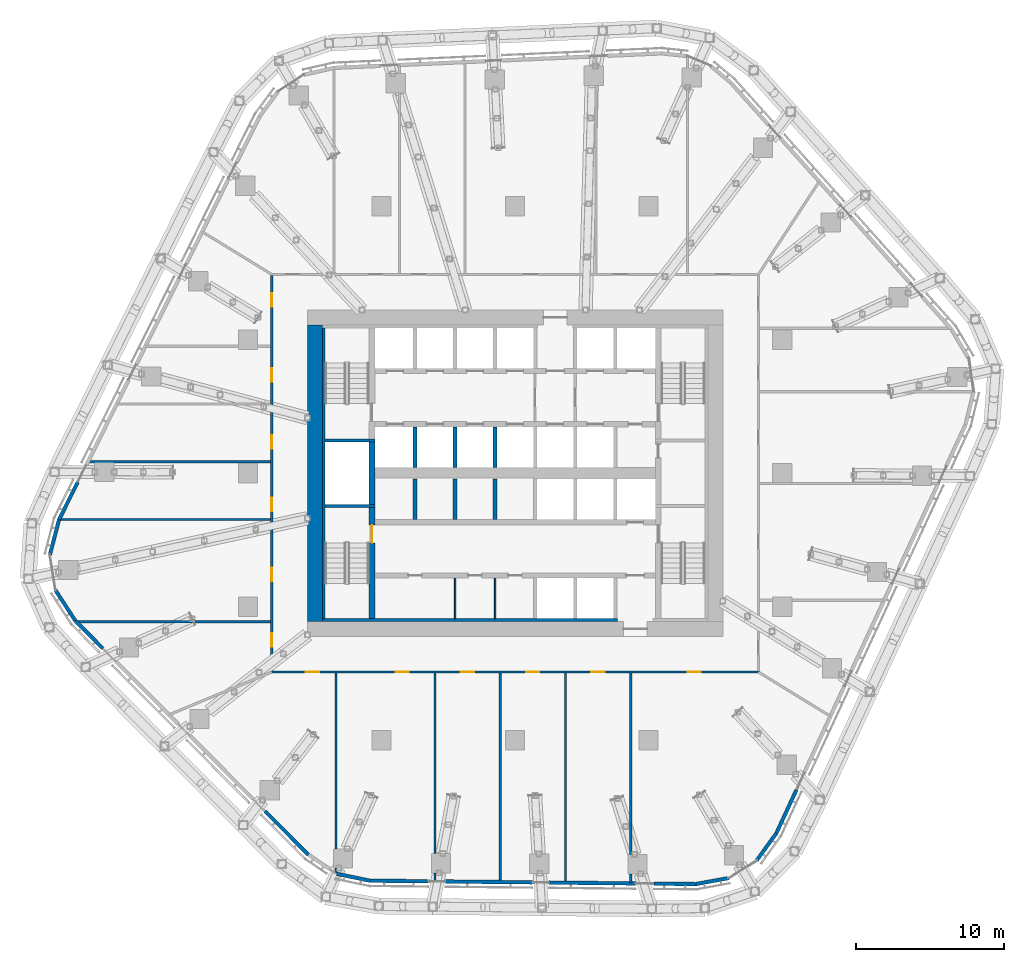
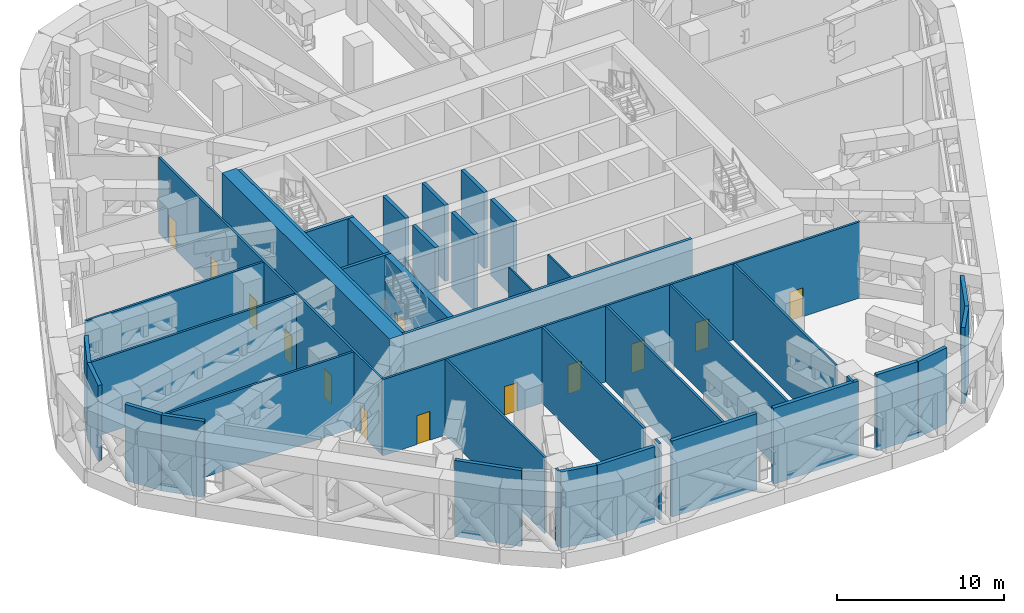
# One storey, part 16 of 30: 41 walls, 13 doors, 13 openings.
"""IFC4 building model written with IfcOpenShell, lengths in metres."""

from ifc_helpers import new_model, si_unit, direction, frame, frame_2d, origin, place, context, subcontext, project, spatial, rectangle, extrude, material, layer, layer_set, type_object, element, fill, save


model = new_model("IFC4")

# Units and contexts
model_context = context("Model", 3, precision=1e-05, world=origin(), true_north=direction((0.0, 1.0)))
body_context = subcontext(model_context, "Body", "Model", "MODEL_VIEW")
ifc_project = project(units=[si_unit("LENGTHUNIT", "METRE"), si_unit("AREAUNIT", "SQUARE_METRE"), si_unit("VOLUMEUNIT", "CUBIC_METRE"), si_unit("PLANEANGLEUNIT", "RADIAN"), si_unit("MASSUNIT", "GRAM", prefix="KILO")], contexts=[model_context])

# Site, building, storey
site_placement = place(None, origin())
site = spatial("IfcSite", under=ifc_project, at=site_placement, CompositionType="ELEMENT")
building_placement = place(site_placement, origin())
building = spatial("IfcBuilding", under=site, at=building_placement, Name="Dongbaek Canopy Tower", CompositionType="ELEMENT")
storey_placement = place(building_placement, frame((0.0, 0.0, 145.60009765625)))
storey = spatial("IfcBuildingStorey", under=building, at=storey_placement, Name="L32", CompositionType="ELEMENT", Elevation=145.60009765625)

# Walls
ifc_material_1 = material(Name="Concrete C60/75", Category="concrete")
ifc_layer_1 = layer(ifc_material_1, 1.0)
ifc_layer_set_1 = layer_set([ifc_layer_1], Name="Core outer wall 1000 Concrete C60/75")
wall_type_1 = type_object("IfcWallType", Name="Core outer wall 1000 Concrete C60/75", PredefinedType="SHEAR", material=ifc_layer_set_1)
wall_1_placement = place(storey_placement, frame((-13.5, -10.0, 0.0), z_axis=(0.0, 0.0, 1.0), x_axis=(0.0, 1.0, 0.0)))
element("IfcWall", 1, at=wall_1_placement, inside=storey, type_object=wall_type_1, Name="Core wall", PredefinedType="SHEAR", context=body_context, shape_type="SweptSolid", body=[
    extrude(rectangle(XDim=20.0, YDim=1.0, at=frame_2d((10.0, 0.0))), origin(), (0.0, 0.0, 1.0), 5.5498046875),
])
ifc_material_2 = material(Name="Concrete C60/75", Category="concrete")
ifc_layer_2 = layer(ifc_material_2, 0.199951171875)
ifc_layer_set_2 = layer_set([ifc_layer_2], Name="Core wall lining 200 Concrete C60/75")
wall_type_2 = type_object("IfcWallType", Name="Core wall lining 200 Concrete C60/75", PredefinedType="SHEAR", material=ifc_layer_set_2)
wall_2_placement = place(storey_placement, frame((6.89990234375, -9.89990234375, 0.0), z_axis=(0.0, 0.0, 1.0), x_axis=(-1.0, 0.0, 0.0)))
element("IfcWall", 2, at=wall_2_placement, inside=storey, type_object=wall_type_2, Name="Core wall lining", PredefinedType="SHEAR", context=body_context, shape_type="SweptSolid", body=[
    extrude(rectangle(XDim=19.89990234375, YDim=0.199951171875, at=frame_2d((9.949951171875, 0.0))), origin(), (0.0, 0.0, 1.0), 5.5498046875),
])
wall_3_placement = place(storey_placement, frame((-12.89990234375, -9.800048828125, 0.0), z_axis=(0.0, 0.0, 1.0), x_axis=(0.0, 1.0, 0.0)))
element("IfcWall", 3, at=wall_3_placement, inside=storey, type_object=wall_type_2, Name="Core wall lining", PredefinedType="SHEAR", context=body_context, shape_type="SweptSolid", body=[
    extrude(rectangle(XDim=19.60009765625, YDim=0.199951171875, at=frame_2d((9.800048828125, 0.0))), origin(), (0.0, 0.0, 1.0), 5.5498046875),
])

# Wall, openings, doors
ifc_material_3 = material(Name="Gypsum board partition, steel stud, 2 x 15 mm fire board", Category="steel")
ifc_layer_3 = layer(ifc_material_3, 0.14990234375)
ifc_layer_set_3 = layer_set([ifc_layer_3], Name="Fire-rated partition 150 gypsum board")
wall_type_3 = type_object("IfcWallType", Name="Fire-rated partition 150 gypsum board", PredefinedType="PARTITIONING", material=ifc_layer_set_3)
wall_4_placement = place(storey_placement, frame((16.47509765625, -13.39990234375, 0.0), z_axis=(0.0, 0.0, 1.0), x_axis=(-1.0, 0.0, 0.0)))
wall_4 = element("IfcWall", 4, at=wall_4_placement, inside=storey, type_object=wall_type_3, Name="Corridor partition", PredefinedType="PARTITIONING", context=body_context, shape_type="SweptSolid", body=[
    extrude(rectangle(XDim=32.9501953125, YDim=0.14990234375, at=frame_2d((16.47509765625, 0.0))), origin(), (0.0, 0.0, 1.0), 5.5498046875),
])
opening_1_placement = place(wall_4_placement, frame((29.677978515625, 0.0, 0.0)))
opening_1 = element("IfcOpeningElement", 5, at=opening_1_placement, cuts=wall_4, Name="Opening L32-D004", PredefinedType="OPENING", context=body_context, shape_type="SweptSolid", body=[
    extrude(rectangle(XDim=0.89990234375, YDim=2.10009765625, at=frame_2d((0.449951171875, 1.050048828125))), frame((0.0, 0.0849609375, 0.0), z_axis=(0.0, -1.0, 0.0), x_axis=(1.0, 0.0, 0.0)), (0.0, 0.0, 1.0), 0.169921875),
])
opening_2_placement = place(wall_4_placement, frame((23.63232421875, 0.0, 0.0)))
opening_2 = element("IfcOpeningElement", 6, at=opening_2_placement, cuts=wall_4, Name="Opening L32-D005", PredefinedType="OPENING", context=body_context, shape_type="SweptSolid", body=[
    extrude(rectangle(XDim=0.89990234375, YDim=2.10009765625, at=frame_2d((0.449951171875, 1.050048828125))), frame((0.0, 0.0849609375, 0.0), z_axis=(0.0, -1.0, 0.0), x_axis=(1.0, 0.0, 0.0)), (0.0, 0.0, 1.0), 0.169921875),
])
opening_3_placement = place(wall_4_placement, frame((19.231689453125, 0.0, 0.0)))
opening_3 = element("IfcOpeningElement", 7, at=opening_3_placement, cuts=wall_4, Name="Opening L32-D006", PredefinedType="OPENING", context=body_context, shape_type="SweptSolid", body=[
    extrude(rectangle(XDim=0.89990234375, YDim=2.10009765625, at=frame_2d((0.449951171875, 1.050048828125))), frame((0.0, 0.0849609375, 0.0), z_axis=(0.0, -1.0, 0.0), x_axis=(1.0, 0.0, 0.0)), (0.0, 0.0, 1.0), 0.169921875),
])
opening_4_placement = place(wall_4_placement, frame((14.8310546875, 0.0, 0.0)))
opening_4 = element("IfcOpeningElement", 8, at=opening_4_placement, cuts=wall_4, Name="Opening L32-D007", PredefinedType="OPENING", context=body_context, shape_type="SweptSolid", body=[
    extrude(rectangle(XDim=0.89990234375, YDim=2.10009765625, at=frame_2d((0.449951171875, 1.050048828125))), frame((0.0, 0.0849609375, 0.0), z_axis=(0.0, -1.0, 0.0), x_axis=(1.0, 0.0, 0.0)), (0.0, 0.0, 1.0), 0.169921875),
])
opening_5_placement = place(wall_4_placement, frame((10.430419921875, 0.0, 0.0)))
opening_5 = element("IfcOpeningElement", 9, at=opening_5_placement, cuts=wall_4, Name="Opening L32-D008", PredefinedType="OPENING", context=body_context, shape_type="SweptSolid", body=[
    extrude(rectangle(XDim=0.89990234375, YDim=2.10009765625, at=frame_2d((0.449951171875, 1.050048828125))), frame((0.0, 0.0849609375, 0.0), z_axis=(0.0, -1.0, 0.0), x_axis=(1.0, 0.0, 0.0)), (0.0, 0.0, 1.0), 0.169921875),
])
opening_6_placement = place(wall_4_placement, frame((3.94384765625, 0.0, 0.0)))
opening_6 = element("IfcOpeningElement", 10, at=opening_6_placement, cuts=wall_4, Name="Opening L32-D009", PredefinedType="OPENING", context=body_context, shape_type="SweptSolid", body=[
    extrude(rectangle(XDim=0.89990234375, YDim=2.10009765625, at=frame_2d((0.449951171875, 1.050048828125))), frame((0.0, 0.0849609375, 0.0), z_axis=(0.0, -1.0, 0.0), x_axis=(1.0, 0.0, 0.0)), (0.0, 0.0, 1.0), 0.169921875),
])
ifc_material_4 = material(Name="Timber veneered door leaf", Category="wood")
door_type_1 = type_object("IfcDoorType", Name="Room door 900 x 2100", OperationType="SINGLE_SWING_LEFT", PredefinedType="DOOR", material=ifc_material_4)
door_1_placement = place(opening_2_placement, origin())
door_1 = element("IfcDoor", 11, at=door_1_placement, inside=storey, type_object=door_type_1, Name="Door L32-D005", OperationType="SINGLE_SWING_RIGHT", OverallHeight=2.10009765625, OverallWidth=0.89990234375, PredefinedType="DOOR", context=body_context, shape_type="SweptSolid", body=[
    extrude(rectangle(XDim=0.89990234375, YDim=2.10009765625, at=frame_2d((0.449951171875, 1.050048828125))), frame((0.0, 0.02490234375, 0.0), z_axis=(0.0, -1.0, 0.0), x_axis=(1.0, 0.0, 0.0)), (0.0, 0.0, 1.0), 0.050048828125),
])
fill(opening_2, door_1)
door_2_placement = place(opening_6_placement, origin())
door_2 = element("IfcDoor", 12, at=door_2_placement, inside=storey, type_object=door_type_1, Name="Door L32-D009", OperationType="SINGLE_SWING_RIGHT", OverallHeight=2.10009765625, OverallWidth=0.89990234375, PredefinedType="DOOR", context=body_context, shape_type="SweptSolid", body=[
    extrude(rectangle(XDim=0.89990234375, YDim=2.10009765625, at=frame_2d((0.449951171875, 1.050048828125))), frame((0.0, 0.02490234375, 0.0), z_axis=(0.0, -1.0, 0.0), x_axis=(1.0, 0.0, 0.0)), (0.0, 0.0, 1.0), 0.050048828125),
])
fill(opening_6, door_2)
ifc_material_5 = material(Name="Timber veneered door leaf", Category="wood")
door_type_2 = type_object("IfcDoorType", Name="Store door 900 x 2100", OperationType="SINGLE_SWING_LEFT", PredefinedType="DOOR", material=ifc_material_5)
door_3_placement = place(opening_1_placement, origin())
door_3 = element("IfcDoor", 13, at=door_3_placement, inside=storey, type_object=door_type_2, Name="Door L32-D004", OperationType="SINGLE_SWING_LEFT", OverallHeight=2.10009765625, OverallWidth=0.89990234375, PredefinedType="DOOR", context=body_context, shape_type="SweptSolid", body=[
    extrude(rectangle(XDim=0.89990234375, YDim=2.10009765625, at=frame_2d((0.449951171875, 1.050048828125))), frame((0.0, 0.02490234375, 0.0), z_axis=(0.0, -1.0, 0.0), x_axis=(1.0, 0.0, 0.0)), (0.0, 0.0, 1.0), 0.050048828125),
])
fill(opening_1, door_3)
door_4_placement = place(opening_3_placement, origin())
door_4 = element("IfcDoor", 14, at=door_4_placement, inside=storey, type_object=door_type_2, Name="Door L32-D006", OperationType="SINGLE_SWING_LEFT", OverallHeight=2.10009765625, OverallWidth=0.89990234375, PredefinedType="DOOR", context=body_context, shape_type="SweptSolid", body=[
    extrude(rectangle(XDim=0.89990234375, YDim=2.10009765625, at=frame_2d((0.449951171875, 1.050048828125))), frame((0.0, 0.02490234375, 0.0), z_axis=(0.0, -1.0, 0.0), x_axis=(1.0, 0.0, 0.0)), (0.0, 0.0, 1.0), 0.050048828125),
])
fill(opening_3, door_4)
door_5_placement = place(opening_4_placement, origin())
door_5 = element("IfcDoor", 15, at=door_5_placement, inside=storey, type_object=door_type_2, Name="Door L32-D007", OperationType="SINGLE_SWING_RIGHT", OverallHeight=2.10009765625, OverallWidth=0.89990234375, PredefinedType="DOOR", context=body_context, shape_type="SweptSolid", body=[
    extrude(rectangle(XDim=0.89990234375, YDim=2.10009765625, at=frame_2d((0.449951171875, 1.050048828125))), frame((0.0, 0.02490234375, 0.0), z_axis=(0.0, -1.0, 0.0), x_axis=(1.0, 0.0, 0.0)), (0.0, 0.0, 1.0), 0.050048828125),
])
fill(opening_4, door_5)
door_6_placement = place(opening_5_placement, origin())
door_6 = element("IfcDoor", 16, at=door_6_placement, inside=storey, type_object=door_type_2, Name="Door L32-D008", OperationType="SINGLE_SWING_LEFT", OverallHeight=2.10009765625, OverallWidth=0.89990234375, PredefinedType="DOOR", context=body_context, shape_type="SweptSolid", body=[
    extrude(rectangle(XDim=0.89990234375, YDim=2.10009765625, at=frame_2d((0.449951171875, 1.050048828125))), frame((0.0, 0.02490234375, 0.0), z_axis=(0.0, -1.0, 0.0), x_axis=(1.0, 0.0, 0.0)), (0.0, 0.0, 1.0), 0.050048828125),
])
fill(opening_5, door_6)

# Walls
wall_5_placement = place(storey_placement, frame((-29.555908203125, -10.012939453125, 0.0), z_axis=(0.0, 0.0, 1.0), x_axis=(1.0, 0.0, 0.0)))
element("IfcWall", 17, at=wall_5_placement, inside=storey, type_object=wall_type_3, Name="Corridor partition", PredefinedType="PARTITIONING", context=body_context, shape_type="SweptSolid", body=[
    extrude(rectangle(XDim=13.080810546875, YDim=0.14990234375, at=frame_2d((6.54052734375, 0.0))), origin(), (0.0, 0.0, 1.0), 5.5498046875),
])
wall_6_placement = place(storey_placement, frame((-30.713623046875, -3.10888671875, 0.0), z_axis=(0.0, 0.0, 1.0), x_axis=(1.0, 0.0, 0.0)))
element("IfcWall", 18, at=wall_6_placement, inside=storey, type_object=wall_type_3, Name="Corridor partition", PredefinedType="PARTITIONING", context=body_context, shape_type="SweptSolid", body=[
    extrude(rectangle(XDim=14.238525390625, YDim=0.14990234375, at=frame_2d((7.119140625, 0.0))), origin(), (0.0, 0.0, 1.0), 5.5498046875),
])
wall_7_placement = place(storey_placement, frame((-28.78173828125, 0.779052734375, 0.0), z_axis=(0.0, 0.0, 1.0), x_axis=(1.0, 0.0, 0.0)))
element("IfcWall", 19, at=wall_7_placement, inside=storey, type_object=wall_type_3, Name="Corridor partition", PredefinedType="PARTITIONING", context=body_context, shape_type="SweptSolid", body=[
    extrude(rectangle(XDim=12.306640625, YDim=0.14990234375, at=frame_2d((6.1533203125, 0.0))), origin(), (0.0, 0.0, 1.0), 5.5498046875),
])
wall_8_placement = place(storey_placement, frame((7.794921875, -27.632080078125, 0.0), z_axis=(0.0, 0.0, 1.0), x_axis=(0.0, 1.0, 0.0)))
element("IfcWall", 20, at=wall_8_placement, inside=storey, type_object=wall_type_3, Name="Corridor partition", PredefinedType="PARTITIONING", context=body_context, shape_type="SweptSolid", body=[
    extrude(rectangle(XDim=0.633056640625, YDim=0.14990234375, at=frame_2d((0.31640625, 0.0))), origin(), (0.0, 0.0, 1.0), 5.5498046875),
])
wall_9_placement = place(storey_placement, frame((7.794921875, -25.698974609375, 0.0), z_axis=(0.0, 0.0, 1.0), x_axis=(0.0, 1.0, 0.0)))
element("IfcWall", 21, at=wall_9_placement, inside=storey, type_object=wall_type_3, Name="Corridor partition", PredefinedType="PARTITIONING", context=body_context, shape_type="SweptSolid", body=[
    extrude(rectangle(XDim=12.223876953125, YDim=0.14990234375, at=frame_2d((6.11181640625, 0.0))), origin(), (0.0, 0.0, 1.0), 5.5498046875),
])
wall_10_placement = place(storey_placement, frame((3.39404296875, -27.586181640625, 0.0), z_axis=(0.0, 0.0, 1.0), x_axis=(0.0, 1.0, 0.0)))
element("IfcWall", 22, at=wall_10_placement, inside=storey, type_object=wall_type_3, Name="Corridor partition", PredefinedType="PARTITIONING", context=body_context, shape_type="SweptSolid", body=[
    extrude(rectangle(XDim=14.111083984375, YDim=0.14990234375, at=frame_2d((7.0556640625, 0.0))), origin(), (0.0, 0.0, 1.0), 5.5498046875),
])
wall_11_placement = place(storey_placement, frame((-1.006103515625, -27.54052734375, 0.0), z_axis=(0.0, 0.0, 1.0), x_axis=(0.0, 1.0, 0.0)))
element("IfcWall", 23, at=wall_11_placement, inside=storey, type_object=wall_type_3, Name="Corridor partition", PredefinedType="PARTITIONING", context=body_context, shape_type="SweptSolid", body=[
    extrude(rectangle(XDim=14.0654296875, YDim=0.14990234375, at=frame_2d((7.03271484375, 0.0))), origin(), (0.0, 0.0, 1.0), 5.5498046875),
])
wall_12_placement = place(storey_placement, frame((-5.406982421875, -27.49462890625, 0.0), z_axis=(0.0, 0.0, 1.0), x_axis=(0.0, 1.0, 0.0)))
element("IfcWall", 24, at=wall_12_placement, inside=storey, type_object=wall_type_3, Name="Corridor partition", PredefinedType="PARTITIONING", context=body_context, shape_type="SweptSolid", body=[
    extrude(rectangle(XDim=0.5546875, YDim=0.14990234375, at=frame_2d((0.27734375, 0.0))), origin(), (0.0, 0.0, 1.0), 5.5498046875),
])
wall_13_placement = place(storey_placement, frame((-5.406982421875, -25.639892578125, 0.0), z_axis=(0.0, 0.0, 1.0), x_axis=(0.0, 1.0, 0.0)))
element("IfcWall", 25, at=wall_13_placement, inside=storey, type_object=wall_type_3, Name="Corridor partition", PredefinedType="PARTITIONING", context=body_context, shape_type="SweptSolid", body=[
    extrude(rectangle(XDim=12.164794921875, YDim=0.14990234375, at=frame_2d((6.08251953125, 0.0))), origin(), (0.0, 0.0, 1.0), 5.5498046875),
])
wall_14_placement = place(storey_placement, frame((-12.075927734375, -26.95361328125, 0.0), z_axis=(0.0, 0.0, 1.0), x_axis=(0.0, 1.0, 0.0)))
element("IfcWall", 26, at=wall_14_placement, inside=storey, type_object=wall_type_3, Name="Corridor partition", PredefinedType="PARTITIONING", context=body_context, shape_type="SweptSolid", body=[
    extrude(rectangle(XDim=0.337646484375, YDim=0.14990234375, at=frame_2d((0.1689453125, 0.0))), origin(), (0.0, 0.0, 1.0), 5.5498046875),
])
wall_15_placement = place(storey_placement, frame((-12.075927734375, -25.31591796875, 0.0), z_axis=(0.0, 0.0, 1.0), x_axis=(0.0, 1.0, 0.0)))
element("IfcWall", 27, at=wall_15_placement, inside=storey, type_object=wall_type_3, Name="Corridor partition", PredefinedType="PARTITIONING", context=body_context, shape_type="SweptSolid", body=[
    extrude(rectangle(XDim=11.8408203125, YDim=0.14990234375, at=frame_2d((5.92041015625, 0.0))), origin(), (0.0, 0.0, 1.0), 5.5498046875),
])

# Wall, openings, doors
wall_16_placement = place(storey_placement, frame((-16.39990234375, -13.324951171875, 0.0), z_axis=(0.0, 0.0, 1.0), x_axis=(0.0, 1.0, 0.0)))
wall_16 = element("IfcWall", 28, at=wall_16_placement, inside=storey, type_object=wall_type_3, Name="Corridor partition", PredefinedType="PARTITIONING", context=body_context, shape_type="SweptSolid", body=[
    extrude(rectangle(XDim=26.64990234375, YDim=0.14990234375, at=frame_2d((13.324951171875, 0.0))), origin(), (0.0, 0.0, 1.0), 5.5498046875),
])
opening_7_placement = place(wall_16_placement, frame((10.77685546875, 0.0, 0.0)))
opening_7 = element("IfcOpeningElement", 29, at=opening_7_placement, cuts=wall_16, Name="Opening L32-D001", PredefinedType="OPENING", context=body_context, shape_type="SweptSolid", body=[
    extrude(rectangle(XDim=0.89990234375, YDim=2.10009765625, at=frame_2d((0.449951171875, 1.050048828125))), frame((0.0, 0.0849609375, 0.0), z_axis=(0.0, -1.0, 0.0), x_axis=(1.0, 0.0, 0.0)), (0.0, 0.0, 1.0), 0.169921875),
])
opening_8_placement = place(wall_16_placement, frame((6.051025390625, 0.0, 0.0)))
opening_8 = element("IfcOpeningElement", 30, at=opening_8_placement, cuts=wall_16, Name="Opening L32-D002", PredefinedType="OPENING", context=body_context, shape_type="SweptSolid", body=[
    extrude(rectangle(XDim=0.89990234375, YDim=2.10009765625, at=frame_2d((0.449951171875, 1.050048828125))), frame((0.0, 0.0849609375, 0.0), z_axis=(0.0, -1.0, 0.0), x_axis=(1.0, 0.0, 0.0)), (0.0, 0.0, 1.0), 0.169921875),
])
opening_9_placement = place(wall_16_placement, frame((1.63427734375, 0.0, 0.0)))
opening_9 = element("IfcOpeningElement", 31, at=opening_9_placement, cuts=wall_16, Name="Opening L32-D003", PredefinedType="OPENING", context=body_context, shape_type="SweptSolid", body=[
    extrude(rectangle(XDim=0.89990234375, YDim=2.10009765625, at=frame_2d((0.449951171875, 1.050048828125))), frame((0.0, 0.0849609375, 0.0), z_axis=(0.0, -1.0, 0.0), x_axis=(1.0, 0.0, 0.0)), (0.0, 0.0, 1.0), 0.169921875),
])
opening_10_placement = place(wall_16_placement, frame((24.55859375, 0.0, 0.0)))
opening_10 = element("IfcOpeningElement", 32, at=opening_10_placement, cuts=wall_16, Name="Opening L32-D021", PredefinedType="OPENING", context=body_context, shape_type="SweptSolid", body=[
    extrude(rectangle(XDim=0.89990234375, YDim=2.10009765625, at=frame_2d((0.449951171875, 1.050048828125))), frame((0.0, 0.0849609375, 0.0), z_axis=(0.0, -1.0, 0.0), x_axis=(1.0, 0.0, 0.0)), (0.0, 0.0, 1.0), 0.169921875),
])
opening_11_placement = place(wall_16_placement, frame((19.487548828125, 0.0, 0.0)))
opening_11 = element("IfcOpeningElement", 33, at=opening_11_placement, cuts=wall_16, Name="Opening L32-D022", PredefinedType="OPENING", context=body_context, shape_type="SweptSolid", body=[
    extrude(rectangle(XDim=0.89990234375, YDim=2.10009765625, at=frame_2d((0.449951171875, 1.050048828125))), frame((0.0, 0.0849609375, 0.0), z_axis=(0.0, -1.0, 0.0), x_axis=(1.0, 0.0, 0.0)), (0.0, 0.0, 1.0), 0.169921875),
])
opening_12_placement = place(wall_16_placement, frame((14.9765625, 0.0, 0.0)))
opening_12 = element("IfcOpeningElement", 34, at=opening_12_placement, cuts=wall_16, Name="Opening L32-D023", PredefinedType="OPENING", context=body_context, shape_type="SweptSolid", body=[
    extrude(rectangle(XDim=0.89990234375, YDim=2.10009765625, at=frame_2d((0.449951171875, 1.050048828125))), frame((0.0, 0.0849609375, 0.0), z_axis=(0.0, -1.0, 0.0), x_axis=(1.0, 0.0, 0.0)), (0.0, 0.0, 1.0), 0.169921875),
])
door_7_placement = place(opening_8_placement, origin())
door_7 = element("IfcDoor", 35, at=door_7_placement, inside=storey, type_object=door_type_1, Name="Door L32-D002", OperationType="SINGLE_SWING_LEFT", OverallHeight=2.10009765625, OverallWidth=0.89990234375, PredefinedType="DOOR", context=body_context, shape_type="SweptSolid", body=[
    extrude(rectangle(XDim=0.89990234375, YDim=2.10009765625, at=frame_2d((0.449951171875, 1.050048828125))), frame((0.0, 0.02490234375, 0.0), z_axis=(0.0, -1.0, 0.0), x_axis=(1.0, 0.0, 0.0)), (0.0, 0.0, 1.0), 0.050048828125),
])
fill(opening_8, door_7)
door_8_placement = place(opening_7_placement, origin())
door_8 = element("IfcDoor", 36, at=door_8_placement, inside=storey, type_object=door_type_2, Name="Door L32-D001", OperationType="SINGLE_SWING_RIGHT", OverallHeight=2.10009765625, OverallWidth=0.89990234375, PredefinedType="DOOR", context=body_context, shape_type="SweptSolid", body=[
    extrude(rectangle(XDim=0.89990234375, YDim=2.10009765625, at=frame_2d((0.449951171875, 1.050048828125))), frame((0.0, 0.02490234375, 0.0), z_axis=(0.0, -1.0, 0.0), x_axis=(1.0, 0.0, 0.0)), (0.0, 0.0, 1.0), 0.050048828125),
])
fill(opening_7, door_8)
door_9_placement = place(opening_9_placement, origin())
door_9 = element("IfcDoor", 37, at=door_9_placement, inside=storey, type_object=door_type_2, Name="Door L32-D003", OperationType="SINGLE_SWING_RIGHT", OverallHeight=2.10009765625, OverallWidth=0.89990234375, PredefinedType="DOOR", context=body_context, shape_type="SweptSolid", body=[
    extrude(rectangle(XDim=0.89990234375, YDim=2.10009765625, at=frame_2d((0.449951171875, 1.050048828125))), frame((0.0, 0.02490234375, 0.0), z_axis=(0.0, -1.0, 0.0), x_axis=(1.0, 0.0, 0.0)), (0.0, 0.0, 1.0), 0.050048828125),
])
fill(opening_9, door_9)
door_10_placement = place(opening_10_placement, origin())
door_10 = element("IfcDoor", 38, at=door_10_placement, inside=storey, type_object=door_type_2, Name="Door L32-D021", OperationType="SINGLE_SWING_RIGHT", OverallHeight=2.10009765625, OverallWidth=0.89990234375, PredefinedType="DOOR", context=body_context, shape_type="SweptSolid", body=[
    extrude(rectangle(XDim=0.89990234375, YDim=2.10009765625, at=frame_2d((0.449951171875, 1.050048828125))), frame((0.0, 0.02490234375, 0.0), z_axis=(0.0, -1.0, 0.0), x_axis=(1.0, 0.0, 0.0)), (0.0, 0.0, 1.0), 0.050048828125),
])
fill(opening_10, door_10)
door_11_placement = place(opening_11_placement, origin())
door_11 = element("IfcDoor", 39, at=door_11_placement, inside=storey, type_object=door_type_2, Name="Door L32-D022", OperationType="SINGLE_SWING_LEFT", OverallHeight=2.10009765625, OverallWidth=0.89990234375, PredefinedType="DOOR", context=body_context, shape_type="SweptSolid", body=[
    extrude(rectangle(XDim=0.89990234375, YDim=2.10009765625, at=frame_2d((0.449951171875, 1.050048828125))), frame((0.0, 0.02490234375, 0.0), z_axis=(0.0, -1.0, 0.0), x_axis=(1.0, 0.0, 0.0)), (0.0, 0.0, 1.0), 0.050048828125),
])
fill(opening_11, door_11)
door_12_placement = place(opening_12_placement, origin())
door_12 = element("IfcDoor", 40, at=door_12_placement, inside=storey, type_object=door_type_2, Name="Door L32-D023", OperationType="SINGLE_SWING_RIGHT", OverallHeight=2.10009765625, OverallWidth=0.89990234375, PredefinedType="DOOR", context=body_context, shape_type="SweptSolid", body=[
    extrude(rectangle(XDim=0.89990234375, YDim=2.10009765625, at=frame_2d((0.449951171875, 1.050048828125))), frame((0.0, 0.02490234375, 0.0), z_axis=(0.0, -1.0, 0.0), x_axis=(1.0, 0.0, 0.0)), (0.0, 0.0, 1.0), 0.050048828125),
])
fill(opening_12, door_12)

# Walls
ifc_material_6 = material(Name="Concrete C60/75", Category="concrete")
ifc_layer_4 = layer(ifc_material_6, 0.25)
ifc_layer_set_4 = layer_set([ifc_layer_4], Name="Lift pit wall 250 Concrete C60/75")
wall_type_4 = type_object("IfcWallType", Name="Lift pit wall 250 Concrete C60/75", PredefinedType="SHEAR", material=ifc_layer_set_4)
for number, where, z_axis, x_axis, name in (
    (41, (-1.35009765625, -3.125, 0.0), (0.0, 0.0, 1.0), (0.0, 1.0, 0.0), "Lift pit wall"),
    (42, (-4.050048828125, -3.125, 0.0), (0.0, 0.0, 1.0), (0.0, 1.0, 0.0), "Lift pit wall"),
    (43, (-6.75, -3.125, 0.0), (0.0, 0.0, 1.0), (0.0, 1.0, 0.0), "Lift pit wall"),
):
    element("IfcWall", number, at=place(storey_placement, frame(where, z_axis=z_axis, x_axis=x_axis)), inside=storey, type_object=wall_type_4, Name=name, PredefinedType="SHEAR", context=body_context, shape_type="SweptSolid", body=[
        extrude(rectangle(XDim=2.72509765625, YDim=0.25, at=frame_2d((1.362548828125, 0.0))), origin(), (0.0, 0.0, 1.0), 5.5498046875),
    ])
ifc_material_7 = material(Name="Concrete C40/50", Category="concrete")
ifc_layer_5 = layer(ifc_material_7, 0.25)
ifc_layer_set_5 = layer_set([ifc_layer_5], Name="Lift shaft wall 250 Concrete C40/50")
wall_type_5 = type_object("IfcWallType", Name="Lift shaft wall 250 Concrete C40/50", PredefinedType="SOLIDWALL", material=ifc_layer_set_5)
for number, where, z_axis, x_axis, name in (
    (44, (-1.35009765625, 0.39990234375, 0.0), (0.0, 0.0, 1.0), (0.0, 1.0, 0.0), "Lift shaft wall"),
    (45, (-4.050048828125, 0.39990234375, 0.0), (0.0, 0.0, 1.0), (0.0, 1.0, 0.0), "Lift shaft wall"),
    (46, (-6.75, 0.39990234375, 0.0), (0.0, 0.0, 1.0), (0.0, 1.0, 0.0), "Lift shaft wall"),
):
    element("IfcWall", number, at=place(storey_placement, frame(where, z_axis=z_axis, x_axis=x_axis)), inside=storey, type_object=wall_type_5, Name=name, PredefinedType="SOLIDWALL", context=body_context, shape_type="SweptSolid", body=[
        extrude(rectangle(XDim=2.72509765625, YDim=0.25, at=frame_2d((1.362548828125, 0.0))), origin(), (0.0, 0.0, 1.0), 5.5498046875),
    ])
ifc_material_8 = material(Name="Gypsum board partition, steel stud, 2 x 12.5 mm board", Category="steel")
ifc_layer_6 = layer(ifc_material_8, 0.10009765625)
ifc_layer_set_6 = layer_set([ifc_layer_6], Name="Partition 100 gypsum board")
wall_type_6 = type_object("IfcWallType", Name="Partition 100 gypsum board", PredefinedType="PARTITIONING", material=ifc_layer_set_6)
for number, where, z_axis, x_axis, name in (
    (47, (-1.35009765625, -9.800048828125, 0.0), (0.0, 0.0, 1.0), (0.0, 1.0, 0.0), "Core partition"),
    (48, (-4.050048828125, -9.800048828125, 0.0), (0.0, 0.0, 1.0), (0.0, 1.0, 0.0), "Core partition"),
):
    element("IfcWall", number, at=place(storey_placement, frame(where, z_axis=z_axis, x_axis=x_axis)), inside=storey, type_object=wall_type_6, Name=name, PredefinedType="PARTITIONING", context=body_context, shape_type="SweptSolid", body=[
        extrude(rectangle(XDim=2.72509765625, YDim=0.10009765625, at=frame_2d((1.362548828125, 0.0))), origin(), (0.0, 0.0, 1.0), 5.5498046875),
    ])
ifc_material_9 = material(Name="Pale metal cladding on insulated wall")
ifc_layer_7 = layer(ifc_material_9, 0.25)
ifc_layer_set_7 = layer_set([ifc_layer_7], Name="Plant floor wall 250")
wall_type_7 = type_object("IfcWallType", Name="Plant floor wall 250", PredefinedType="SOLIDWALL", material=ifc_layer_set_7)
wall_17_placement = place(storey_placement, frame((-29.48583984375, -0.5927734375, 0.0), z_axis=(0.0, 0.0, 1.0), x_axis=(-0.444950142646, -0.895555341986, 0.0)))
element("IfcWall", 49, at=wall_17_placement, inside=storey, type_object=wall_type_7, Name="Plant wall L32 F2 5", PredefinedType="SOLIDWALL", context=body_context, shape_type="SweptSolid", body=[
    extrude(rectangle(XDim=2.849365234375, YDim=0.25, at=frame_2d((1.4248046875, 0.0))), origin(), (0.0, 0.0, 1.0), 5.5498046875),
])
for number, where, z_axis, x_axis, name in (
    (50, (-30.753662109375, -3.14453125, 0.0), (0.0, 0.0, 1.0), (-0.250955213608, -0.96799869874, 0.0), "Plant wall L32 K3 1"),
    (51, (-30.97607421875, -7.904052734375, 0.0), (0.0, 0.0, 1.0), (0.544731578252, -0.838610462405, 0.0), "Plant wall L32 K3 2"),
):
    element("IfcWall", number, at=place(storey_placement, frame(where, z_axis=z_axis, x_axis=x_axis)), inside=storey, type_object=wall_type_7, Name=name, PredefinedType="SOLIDWALL", context=body_context, shape_type="SweptSolid", body=[
        extrude(rectangle(XDim=2.43994140625, YDim=0.25, at=frame_2d((1.219970703125, 0.0))), origin(), (0.0, 0.0, 1.0), 5.5498046875),
    ])
wall_18_placement = place(storey_placement, frame((-29.64697265625, -9.9501953125, 0.0), z_axis=(0.0, 0.0, 1.0), x_axis=(0.70571255564, -0.708498263097, 0.0)))
element("IfcWall", 52, at=wall_18_placement, inside=storey, type_object=wall_type_7, Name="Plant wall L32 F3 1", PredefinedType="SOLIDWALL", context=body_context, shape_type="SweptSolid", body=[
    extrude(rectangle(XDim=2.629150390625, YDim=0.25, at=frame_2d((1.314453125, 0.0))), origin(), (0.0, 0.0, 1.0), 5.5498046875),
])
wall_19_placement = place(storey_placement, frame((-16.863037109375, -22.783935546875, 0.0), z_axis=(0.0, 0.0, 1.0), x_axis=(0.705753357864, -0.708457618961, 0.0)))
element("IfcWall", 53, at=wall_19_placement, inside=storey, type_object=wall_type_7, Name="Plant wall L32 F3 4", PredefinedType="SOLIDWALL", context=body_context, shape_type="SweptSolid", body=[
    extrude(rectangle(XDim=4.15283203125, YDim=0.25, at=frame_2d((2.076416015625, 0.0))), origin(), (0.0, 0.0, 1.0), 5.5498046875),
])
wall_20_placement = place(storey_placement, frame((-12.035888671875, -27.00439453125, 0.0), z_axis=(0.0, 0.0, 1.0), x_axis=(0.979142654686, -0.203173969236, 0.0)))
element("IfcWall", 54, at=wall_20_placement, inside=storey, type_object=wall_type_7, Name="Plant wall L32 K4 2", PredefinedType="SOLIDWALL", context=body_context, shape_type="SweptSolid", body=[
    extrude(rectangle(XDim=2.28662109375, YDim=0.25, at=frame_2d((1.143310546875, 0.0))), origin(), (0.0, 0.0, 1.0), 5.5498046875),
])
wall_21_placement = place(storey_placement, frame((-9.796875, -27.468994140625, 0.0), z_axis=(0.0, 0.0, 1.0), x_axis=(0.999945744215, -0.010416747382, 0.0)))
element("IfcWall", 55, at=wall_21_placement, inside=storey, type_object=wall_type_7, Name="Plant wall L32 F4 1", PredefinedType="SOLIDWALL", context=body_context, shape_type="SweptSolid", body=[
    extrude(rectangle(XDim=3.9375, YDim=0.25, at=frame_2d((1.96875, 0.0))), origin(), (0.0, 0.0, 1.0), 5.5498046875),
])
wall_22_placement = place(storey_placement, frame((-4.68359375, -27.522216796875, 0.0), z_axis=(0.0, 0.0, 1.0), x_axis=(0.999945846126, -0.010406959903, 0.0)))
element("IfcWall", 56, at=wall_22_placement, inside=storey, type_object=wall_type_7, Name="Plant wall L32 F4 2", PredefinedType="SOLIDWALL", context=body_context, shape_type="SweptSolid", body=[
    extrude(rectangle(XDim=5.84130859375, YDim=0.25, at=frame_2d((2.920654296875, 0.0))), origin(), (0.0, 0.0, 1.0), 5.5498046875),
])
wall_23_placement = place(storey_placement, frame((2.288330078125, -27.5947265625, 0.0), z_axis=(0.0, 0.0, 1.0), x_axis=(0.999945660058, -0.010424822867, 0.0)))
element("IfcWall", 57, at=wall_23_placement, inside=storey, type_object=wall_type_7, Name="Plant wall L32 F4 3", PredefinedType="SOLIDWALL", context=body_context, shape_type="SweptSolid", body=[
    extrude(rectangle(XDim=5.831298828125, YDim=0.25, at=frame_2d((2.91552734375, 0.0))), origin(), (0.0, 0.0, 1.0), 5.5498046875),
])
wall_24_placement = place(storey_placement, frame((9.357421875, -27.668212890625, 0.0), z_axis=(0.0, 0.0, 1.0), x_axis=(0.99994549789, -0.010440366317, 0.0)))
element("IfcWall", 58, at=wall_24_placement, inside=storey, type_object=wall_type_7, Name="Plant wall L32 F4 4", PredefinedType="SOLIDWALL", context=body_context, shape_type="SweptSolid", body=[
    extrude(rectangle(XDim=2.82958984375, YDim=0.25, at=frame_2d((1.414794921875, 0.0))), origin(), (0.0, 0.0, 1.0), 5.5498046875),
])
for number, where, z_axis, x_axis, name in (
    (59, (12.186767578125, -27.69775390625, 0.0), (0.0, 0.0, 1.0), (0.983694250956, 0.179848882779, 0.0), "Plant wall L32 K5 1"),
    (60, (16.297607421875, -26.095458984375, 0.0), (0.0, 0.0, 1.0), (0.58511840493, 0.810947872685, 0.0), "Plant wall L32 K5 2"),
):
    element("IfcWall", number, at=place(storey_placement, frame(where, z_axis=z_axis, x_axis=x_axis)), inside=storey, type_object=wall_type_7, Name=name, PredefinedType="SOLIDWALL", context=body_context, shape_type="SweptSolid", body=[
        extrude(rectangle(XDim=2.251953125, YDim=0.25, at=frame_2d((1.1259765625, 0.0))), origin(), (0.0, 0.0, 1.0), 5.5498046875),
    ])
wall_25_placement = place(storey_placement, frame((17.615234375, -24.269287109375, 0.0), z_axis=(0.0, 0.0, 1.0), x_axis=(0.420401941699, 0.907337978603, 0.0)))
element("IfcWall", 61, at=wall_25_placement, inside=storey, type_object=wall_type_7, Name="Plant wall L32 F5 1", PredefinedType="SOLIDWALL", context=body_context, shape_type="SweptSolid", body=[
    extrude(rectangle(XDim=3.236328125, YDim=0.25, at=frame_2d((1.6181640625, 0.0))), origin(), (0.0, 0.0, 1.0), 5.5498046875),
])
ifc_material_10 = material(Name="Concrete C60/75", Category="concrete")
ifc_layer_8 = layer(ifc_material_10, 0.199951171875)
ifc_layer_set_8 = layer_set([ifc_layer_8], Name="Riser wall 200 Concrete C60/75")
wall_type_8 = type_object("IfcWallType", Name="Riser wall 200 Concrete C60/75", PredefinedType="SHEAR", material=ifc_layer_set_8)
for number, where, z_axis, x_axis, name in (
    (62, (-9.449951171875, 2.199951171875, 0.0), (0.0, 0.0, 1.0), (-1.0, 0.0, 0.0), "Riser wall"),
    (63, (-9.449951171875, -2.199951171875, 0.0), (0.0, 0.0, 1.0), (-1.0, 0.0, 0.0), "Riser wall"),
):
    element("IfcWall", number, at=place(storey_placement, frame(where, z_axis=z_axis, x_axis=x_axis)), inside=storey, type_object=wall_type_8, Name=name, PredefinedType="SHEAR", context=body_context, shape_type="SweptSolid", body=[
        extrude(rectangle(XDim=3.35009765625, YDim=0.199951171875, at=frame_2d((1.675048828125, 0.0))), origin(), (0.0, 0.0, 1.0), 5.5498046875),
    ])

# Wall, opening, door
ifc_material_11 = material(Name="Concrete C60/75", Category="concrete")
ifc_layer_9 = layer(ifc_material_11, 0.39990234375)
ifc_layer_set_9 = layer_set([ifc_layer_9], Name="Stair wall 400 Concrete C60/75")
wall_type_9 = type_object("IfcWallType", Name="Stair wall 400 Concrete C60/75", PredefinedType="SHEAR", material=ifc_layer_set_9)
wall_26_placement = place(storey_placement, frame((-9.64990234375, -9.800048828125, 0.0), z_axis=(0.0, 0.0, 1.0), x_axis=(0.0, 1.0, 0.0)))
wall_26 = element("IfcWall", 64, at=wall_26_placement, inside=storey, type_object=wall_type_9, Name="Stair wall", PredefinedType="SHEAR", context=body_context, shape_type="SweptSolid", body=[
    extrude(rectangle(XDim=7.5, YDim=0.39990234375, at=frame_2d((3.75, 0.0))), origin(), (0.0, 0.0, 1.0), 5.5498046875),
])
opening_13_placement = place(wall_26_placement, frame((5.10009765625, 0.0, 0.0)))
opening_13 = element("IfcOpeningElement", 65, at=opening_13_placement, cuts=wall_26, Name="Opening L32-D049", PredefinedType="OPENING", context=body_context, shape_type="SweptSolid", body=[
    extrude(rectangle(XDim=1.199951171875, YDim=2.10009765625, at=frame_2d((0.60009765625, 1.050048828125))), frame((0.0, 0.2099609375, 0.0), z_axis=(0.0, -1.0, 0.0), x_axis=(1.0, 0.0, 0.0)), (0.0, 0.0, 1.0), 0.419921875),
])
ifc_material_12 = material(Name="Steel", Category="steel")
door_type_3 = type_object("IfcDoorType", Name="Stair door 1200 x 2100", OperationType="SINGLE_SWING_LEFT", PredefinedType="DOOR", material=ifc_material_12)
door_13_placement = place(opening_13_placement, origin())
door_13 = element("IfcDoor", 66, at=door_13_placement, inside=storey, type_object=door_type_3, Name="Stair D door", OperationType="SINGLE_SWING_LEFT", OverallHeight=2.10009765625, OverallWidth=1.199951171875, PredefinedType="DOOR", context=body_context, shape_type="SweptSolid", body=[
    extrude(rectangle(XDim=1.199951171875, YDim=2.10009765625, at=frame_2d((0.60009765625, 1.050048828125))), frame((0.0, 0.02490234375, 0.0), z_axis=(0.0, -1.0, 0.0), x_axis=(1.0, 0.0, 0.0)), (0.0, 0.0, 1.0), 0.050048828125),
])
fill(opening_13, door_13)

# Wall
wall_27_placement = place(storey_placement, frame((-9.64990234375, -2.10009765625, 0.0), z_axis=(0.0, 0.0, 1.0), x_axis=(0.0, 1.0, 0.0)))
element("IfcWall", 67, at=wall_27_placement, inside=storey, type_object=wall_type_9, Name="Stair wall", PredefinedType="SHEAR", context=body_context, shape_type="SweptSolid", body=[
    extrude(rectangle(XDim=4.2001953125, YDim=0.39990234375, at=frame_2d((2.10009765625, 0.0))), origin(), (0.0, 0.0, 1.0), 5.5498046875),
])

save(model, "model.ifc")
